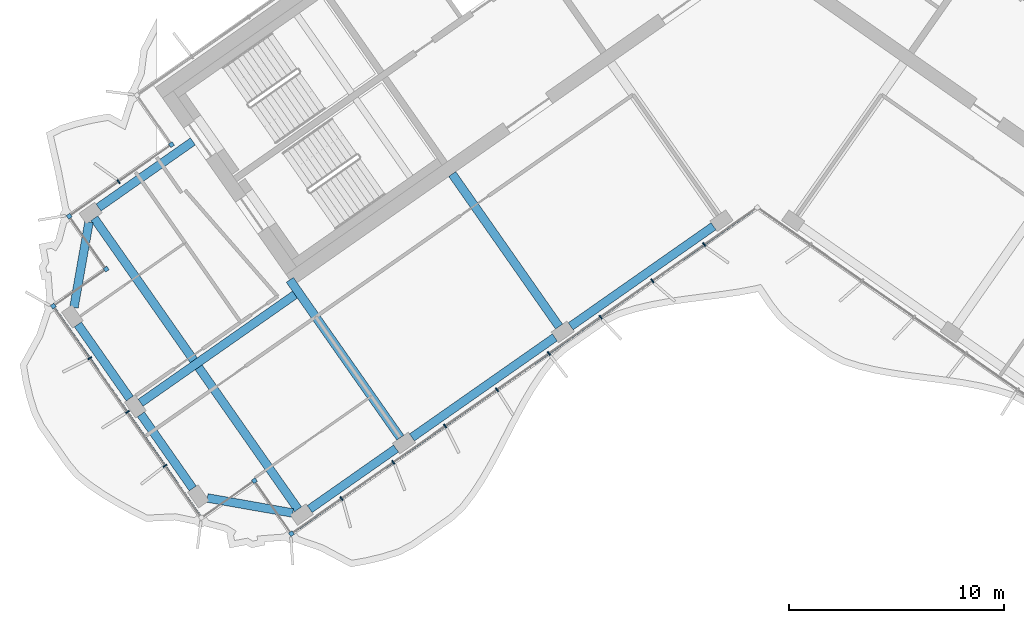
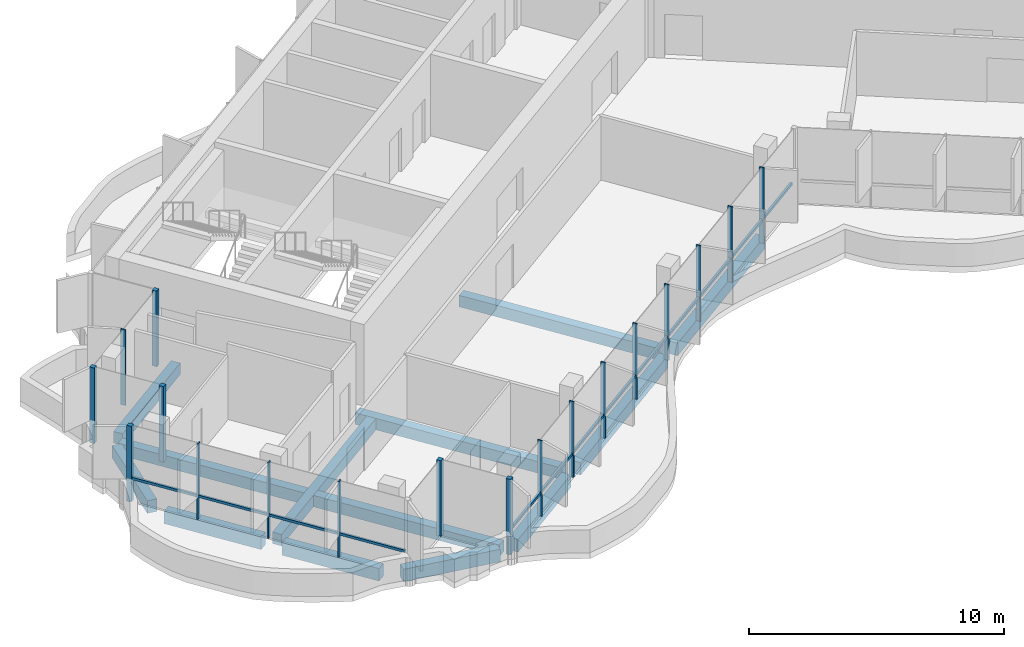
# One storey, part 2 of 19: 20 members, 12 beams, 2 elements without a shape of their own.
"""IFC4 building model written with IfcOpenShell, lengths in metres."""

from ifc_helpers import new_model, si_unit, direction, frame, origin, origin_2d, place, context, subcontext, project, spatial, rectangle, extrude, material, material_profile, profile_set, type_object, element, aggregate, save


model = new_model("IFC4")

# Units and contexts
model_context = context("Model", 3, precision=1e-05, world=origin(), true_north=direction((0.0, 1.0)))
body_context = subcontext(model_context, "Body", "Model", "MODEL_VIEW")
ifc_project = project(units=[si_unit("LENGTHUNIT", "METRE"), si_unit("AREAUNIT", "SQUARE_METRE"), si_unit("VOLUMEUNIT", "CUBIC_METRE"), si_unit("PLANEANGLEUNIT", "RADIAN"), si_unit("MASSUNIT", "GRAM", prefix="KILO")], contexts=[model_context])

# Site, building, storey
site_placement = place(None, origin())
site = spatial("IfcSite", under=ifc_project, at=site_placement, CompositionType="ELEMENT")
building_placement = place(site_placement, origin())
building = spatial("IfcBuilding", under=site, at=building_placement, Name="Tel Ilan Convention Tower", CompositionType="ELEMENT")
storey_placement = place(building_placement, frame((0.0, 0.0, 241.0)))
storey = spatial("IfcBuildingStorey", under=building, at=storey_placement, Name="L56", CompositionType="ELEMENT", Elevation=241.0)

# Beams
ifc_material_1 = material(Name="Concrete C40/50", Category="concrete")
ifc_material_profile_1 = material_profile(ifc_material_1, rectangle(XDim=0.39990234375, YDim=0.550048828125, at=origin_2d()), Name="RC 400x550")
ifc_profile_set_1 = profile_set([ifc_material_profile_1], Name="Concrete C40/50")
beam_type_1 = type_object("IfcBeamType", Name="Beam RC 400x550 Concrete C40/50", PredefinedType="BEAM", material=ifc_profile_set_1)
beam_1_placement = place(storey_placement, frame((-30.6005859375, -12.6982421875, -0.554931640625), z_axis=(0.819146154531, 0.573584847705, 0.0), x_axis=(-0.573584847705, 0.819146154531, 0.0)))
element("IfcBeam", 1, at=beam_1_placement, inside=storey, type_object=beam_type_1, Name="L56 beam W-W-BC-core", PredefinedType="BEAM", context=body_context, shape_type="SweptSolid", body=[
    extrude(rectangle(XDim=0.39990234375, YDim=0.550048828125, at=origin_2d()), origin(), (0.0, 0.0, 1.0), 5.349853515625),
])
beam_2_placement = place(storey_placement, frame((-9.209716796875, -18.229248046875, -0.554931640625), z_axis=(-0.573574099654, 0.819153680457, 0.0), x_axis=(-0.819153680457, -0.573574099654, 0.0)))
element("IfcBeam", 2, at=beam_2_placement, inside=storey, type_object=beam_type_1, Name="L56 beam W-W-F2-core", PredefinedType="BEAM", context=body_context, shape_type="SweptSolid", body=[
    extrude(rectangle(XDim=0.39990234375, YDim=0.550048828125, at=origin_2d()), origin(), (0.0, 0.0, 1.0), 8.64990234375),
])
beam_3_placement = place(storey_placement, frame((-16.58203125, -23.391357421875, -0.554931640625), z_axis=(-0.573584999642, 0.819146048141, 0.0), x_axis=(-0.819146048141, -0.573584999642, 0.0)))
element("IfcBeam", 3, at=beam_3_placement, inside=storey, type_object=beam_type_1, Name="L56 beam W-W-F3-core", PredefinedType="BEAM", context=body_context, shape_type="SweptSolid", body=[
    extrude(rectangle(XDim=0.39990234375, YDim=0.550048828125, at=origin_2d()), origin(), (0.0, 0.0, 1.0), 8.949951171875),
])
beam_4_placement = place(storey_placement, frame((-21.477783203125, -16.748046875, -0.554931640625), z_axis=(-0.819157197737, -0.573569076395, 0.0), x_axis=(0.573569076395, -0.819157197737, 0.0)))
element("IfcBeam", 4, at=beam_4_placement, inside=storey, type_object=beam_type_1, Name="L56 beam W-core-end", PredefinedType="BEAM", context=body_context, shape_type="SweptSolid", body=[
    extrude(rectangle(XDim=0.39990234375, YDim=0.550048828125, at=origin_2d()), origin(), (0.0, 0.0, 1.0), 8.75),
])
beam_5_placement = place(storey_placement, frame((-21.333251953125, -26.718017578125, -0.554931640625), z_axis=(-0.573574554643, 0.819153361872, 0.0), x_axis=(-0.819153361872, -0.573574554643, 0.0)))
element("IfcBeam", 5, at=beam_5_placement, inside=storey, type_object=beam_type_1, Name="L56 beam W-W-FC-W-BC", PredefinedType="BEAM", context=body_context, shape_type="SweptSolid", body=[
    extrude(rectangle(XDim=0.39990234375, YDim=0.550048828125, at=origin_2d()), origin(), (0.0, 0.0, 1.0), 16.499755859375),
])
ifc_material_2 = material(Name="Concrete C40/50", Category="concrete")
ifc_material_profile_2 = material_profile(ifc_material_2, rectangle(XDim=0.39990234375, YDim=0.60009765625, at=origin_2d()), Name="RC 400x600")
ifc_profile_set_2 = profile_set([ifc_material_profile_2], Name="Concrete C40/50")
beam_type_2 = type_object("IfcBeamType", Name="Beam RC 400x600 Concrete C40/50", PredefinedType="BEAM", material=ifc_profile_set_2)
beam_6_placement = place(storey_placement, frame((-2.033935546875, -13.57080078125, -0.580078125), z_axis=(-0.81914553362, -0.573585734437, 0.0), x_axis=(0.573585734437, -0.81914553362, 0.0)))
element("IfcBeam", 6, at=beam_6_placement, inside=storey, type_object=beam_type_2, Name="L56 beam W-W-F1-W-F2", PredefinedType="BEAM", context=body_context, shape_type="SweptSolid", body=[
    extrude(rectangle(XDim=0.39990234375, YDim=0.60009765625, at=origin_2d()), origin(), (0.0, 0.0, 1.0), 8.099853515625),
])
beam_7_placement = place(storey_placement, frame((-9.40625, -18.73291015625, -0.580078125), z_axis=(-0.819155449703, -0.573571572885, 0.0), x_axis=(0.573571572885, -0.819155449703, 0.0)))
element("IfcBeam", 7, at=beam_7_placement, inside=storey, type_object=beam_type_2, Name="L56 beam W-W-F2-W-F3", PredefinedType="BEAM", context=body_context, shape_type="SweptSolid", body=[
    extrude(rectangle(XDim=0.39990234375, YDim=0.60009765625, at=origin_2d()), origin(), (0.0, 0.0, 1.0), 8.10009765625),
])
beam_8_placement = place(storey_placement, frame((-16.778564453125, -23.895263671875, -0.580078125), z_axis=(-0.819154669329, -0.573572687386, 0.0), x_axis=(0.573572687386, -0.819154669329, 0.0)))
element("IfcBeam", 8, at=beam_8_placement, inside=storey, type_object=beam_type_2, Name="L56 beam W-W-F3-W-FC", PredefinedType="BEAM", context=body_context, shape_type="SweptSolid", body=[
    extrude(rectangle(XDim=0.39990234375, YDim=0.60009765625, at=origin_2d()), origin(), (0.0, 0.0, 1.0), 4.900146484375),
])
beam_9_placement = place(storey_placement, frame((-21.578857421875, -26.89013671875, -0.580078125), z_axis=(-0.984804894423, 0.173664388751, 0.0), x_axis=(-0.173664388751, -0.984804894423, 0.0)))
element("IfcBeam", 9, at=beam_9_placement, inside=storey, type_object=beam_type_2, Name="L56 beam W-W-FC-W-E1", PredefinedType="BEAM", context=body_context, shape_type="SweptSolid", body=[
    extrude(rectangle(XDim=0.39990234375, YDim=0.60009765625, at=origin_2d()), origin(), (0.0, 0.0, 1.0), 4.030517578125),
])
for number, where, z_axis, x_axis, name in (
    (10, (-26.22412109375, -25.748046875, -0.580078125), (-0.573563773994, 0.819160910421, 0.0), (-0.819160910421, -0.573563773994, 0.0), "L56 beam W-W-E1-W-E2"),
    (11, (-29.1494140625, -21.5703125, -0.580078125), (-0.573563773994, 0.819160910421, 0.0), (-0.819160910421, -0.573563773994, 0.0), "L56 beam W-W-E2-W-E3"),
):
    element("IfcBeam", number, at=place(storey_placement, frame(where, z_axis=z_axis, x_axis=x_axis)), inside=storey, type_object=beam_type_2, Name=name, PredefinedType="BEAM", context=body_context, shape_type="SweptSolid", body=[
        extrude(rectangle(XDim=0.39990234375, YDim=0.60009765625, at=origin_2d()), origin(), (0.0, 0.0, 1.0), 4.199951171875),
    ])
beam_10_placement = place(storey_placement, frame((-31.742919921875, -17.343505859375, -0.580078125), z_axis=(0.173664388751, 0.984804894423, 0.0), x_axis=(-0.984804894423, 0.173664388751, 0.0)))
element("IfcBeam", 12, at=beam_10_placement, inside=storey, type_object=beam_type_2, Name="L56 beam W-W-E3-W-BC", PredefinedType="BEAM", context=body_context, shape_type="SweptSolid", body=[
    extrude(rectangle(XDim=0.39990234375, YDim=0.60009765625, at=origin_2d()), origin(), (0.0, 0.0, 1.0), 4.030517578125),
])

# Curtain wall, member
ifc_material_3 = material(Name="Aluminium, bronze anodised", Category="aluminium")
curtain_wall_type_1 = type_object("IfcCurtainWallType", Name="CW2 STICK CURTAIN WALL, SPANDREL PANELS", PredefinedType="NOTDEFINED", material=ifc_material_3)
curtain_wall_1_placement = place(storey_placement, origin())
curtain_wall_1 = element("IfcCurtainWall", 13, at=curtain_wall_1_placement, inside=storey, type_object=curtain_wall_type_1, Name="Curtain wall CW2-43.01", PredefinedType="NOTDEFINED")
ifc_material_4 = material(Name="Aluminium, bronze anodised", Category="aluminium")
ifc_material_profile_3 = material_profile(ifc_material_4, rectangle(XDim=0.199951171875, YDim=0.199951171875, at=origin_2d()), Name="CW CORNER MULLION 200x200")
ifc_profile_set_3 = profile_set([ifc_material_profile_3], Name="Aluminium, bronze anodised")
member_type_1 = type_object("IfcMemberType", Name="CW CORNER MULLION 200x200", PredefinedType="MULLION", material=ifc_profile_set_3)
member_1_placement = place(storey_placement, frame((-27.213623046875, -9.77734375, 0.0), z_axis=(0.0, 0.0, 1.0), x_axis=(0.573576436351, -0.819152044289, 0.0)))
member_1 = element("IfcMember", 14, at=member_1_placement, type_object=member_type_1, Name="Corner mullion", PredefinedType="MULLION", context=body_context, shape_type="SweptSolid", body=[
    extrude(rectangle(XDim=0.199951171875, YDim=0.199951171875, at=origin_2d()), origin(), (0.0, 0.0, 1.0), 3.6201171875),
])
aggregate(curtain_wall_1, [member_1])

# Curtain wall, members
ifc_material_5 = material(Name="Aluminium, bronze anodised", Category="aluminium")
curtain_wall_type_2 = type_object("IfcCurtainWallType", Name="CW5 STICK CURTAIN WALL, UPPER OFFICE LOW-IRON TINTED GLASS", PredefinedType="NOTDEFINED", material=ifc_material_5)
curtain_wall_2_placement = place(storey_placement, origin())
curtain_wall_2 = element("IfcCurtainWall", 15, at=curtain_wall_2_placement, inside=storey, type_object=curtain_wall_type_2, Name="Curtain wall CW5-43.02", PredefinedType="NOTDEFINED")
member_2_placement = place(storey_placement, frame((-31.964599609375, -13.10400390625, 0.0), z_axis=(0.0, 0.0, 1.0), x_axis=(-0.819152044289, -0.573576436351, 0.0)))
member_2 = element("IfcMember", 16, at=member_2_placement, type_object=member_type_1, Name="Corner mullion", PredefinedType="MULLION", context=body_context, shape_type="SweptSolid", body=[
    extrude(rectangle(XDim=0.199951171875, YDim=0.199951171875, at=origin_2d()), origin(), (0.0, 0.0, 1.0), 3.6201171875),
])
member_3_placement = place(storey_placement, frame((-30.243896484375, -15.5615234375, 0.0), z_axis=(0.0, 0.0, 1.0), x_axis=(0.573576436351, -0.819152044289, 0.0)))
member_3 = element("IfcMember", 17, at=member_3_placement, type_object=member_type_1, Name="Corner mullion", PredefinedType="MULLION", context=body_context, shape_type="SweptSolid", body=[
    extrude(rectangle(XDim=0.199951171875, YDim=0.199951171875, at=origin_2d()), origin(), (0.0, 0.0, 1.0), 3.6201171875),
])
member_4_placement = place(storey_placement, frame((-32.701416015625, -17.2822265625, 0.0), z_axis=(0.0, 0.0, 1.0), x_axis=(-0.819152044289, -0.573576436351, 0.0)))
member_4 = element("IfcMember", 18, at=member_4_placement, type_object=member_type_1, Name="Corner mullion", PredefinedType="MULLION", context=body_context, shape_type="SweptSolid", body=[
    extrude(rectangle(XDim=0.199951171875, YDim=0.199951171875, at=origin_2d()), origin(), (0.0, 0.0, 1.0), 3.6201171875),
])
member_5_placement = place(storey_placement, frame((-23.36083984375, -25.391357421875, 0.0), z_axis=(0.0, 0.0, 1.0), x_axis=(0.819152044289, 0.573576436351, 0.0)))
member_5 = element("IfcMember", 19, at=member_5_placement, type_object=member_type_1, Name="Corner mullion", PredefinedType="MULLION", context=body_context, shape_type="SweptSolid", body=[
    extrude(rectangle(XDim=0.199951171875, YDim=0.199951171875, at=origin_2d()), origin(), (0.0, 0.0, 1.0), 3.6201171875),
])
member_6_placement = place(storey_placement, frame((-21.64013671875, -27.8486328125, 0.0), z_axis=(0.0, 0.0, 1.0), x_axis=(0.573576436351, -0.819152044289, 0.0)))
member_6 = element("IfcMember", 20, at=member_6_placement, type_object=member_type_1, Name="Corner mullion", PredefinedType="MULLION", context=body_context, shape_type="SweptSolid", body=[
    extrude(rectangle(XDim=0.199951171875, YDim=0.199951171875, at=origin_2d()), origin(), (0.0, 0.0, 1.0), 3.6201171875),
])
ifc_material_6 = material(Name="Aluminium, bronze anodised", Category="aluminium")
ifc_material_profile_4 = material_profile(ifc_material_6, rectangle(XDim=0.06005859375, YDim=0.199951171875, at=origin_2d()), Name="CW MULLION 60x200")
ifc_profile_set_4 = profile_set([ifc_material_profile_4], Name="Aluminium, bronze anodised")
member_type_2 = type_object("IfcMemberType", Name="CW MULLION 60x200", PredefinedType="MULLION", material=ifc_profile_set_4)
member_7_placement = place(storey_placement, frame((-29.6708984375, -11.498046875, 0.0), z_axis=(0.0, 0.0, 1.0), x_axis=(-0.819152044289, -0.573576436351, 0.0)))
member_7 = element("IfcMember", 21, at=member_7_placement, type_object=member_type_2, Name="Mullion", PredefinedType="MULLION", context=body_context, shape_type="SweptSolid", body=[
    extrude(rectangle(XDim=0.06005859375, YDim=0.199951171875, at=origin_2d()), origin(), (0.0, 0.0, 1.0), 3.6201171875),
])
member_8_placement = place(storey_placement, frame((-31.00927734375, -19.69873046875, 0.0), z_axis=(0.0, 0.0, 1.0), x_axis=(0.573576436351, -0.819152044289, 0.0)))
member_8 = element("IfcMember", 22, at=member_8_placement, type_object=member_type_2, Name="Mullion", PredefinedType="MULLION", context=body_context, shape_type="SweptSolid", body=[
    extrude(rectangle(XDim=0.06005859375, YDim=0.199951171875, at=origin_2d()), origin(), (0.0, 0.0, 1.0), 3.6201171875),
])
member_9_placement = place(storey_placement, frame((-29.259765625, -22.197021484375, 0.0), z_axis=(0.0, 0.0, 1.0), x_axis=(0.573576436351, -0.819152044289, 0.0)))
member_9 = element("IfcMember", 23, at=member_9_placement, type_object=member_type_2, Name="Mullion", PredefinedType="MULLION", context=body_context, shape_type="SweptSolid", body=[
    extrude(rectangle(XDim=0.06005859375, YDim=0.199951171875, at=origin_2d()), origin(), (0.0, 0.0, 1.0), 3.6201171875),
])
member_10_placement = place(storey_placement, frame((-27.510498046875, -24.695556640625, 0.0), z_axis=(0.0, 0.0, 1.0), x_axis=(0.573576436351, -0.819152044289, 0.0)))
member_10 = element("IfcMember", 24, at=member_10_placement, type_object=member_type_2, Name="Mullion", PredefinedType="MULLION", context=body_context, shape_type="SweptSolid", body=[
    extrude(rectangle(XDim=0.06005859375, YDim=0.199951171875, at=origin_2d()), origin(), (0.0, 0.0, 1.0), 3.6201171875),
])
member_11_placement = place(storey_placement, frame((-19.31494140625, -26.220458984375, 0.0), z_axis=(0.0, 0.0, 1.0), x_axis=(0.819152044289, 0.573576436351, 0.0)))
member_11 = element("IfcMember", 25, at=member_11_placement, type_object=member_type_2, Name="Mullion", PredefinedType="MULLION", context=body_context, shape_type="SweptSolid", body=[
    extrude(rectangle(XDim=0.06005859375, YDim=0.199951171875, at=origin_2d()), origin(), (0.0, 0.0, 1.0), 3.6201171875),
])
member_12_placement = place(storey_placement, frame((-16.90771484375, -24.534912109375, 0.0), z_axis=(0.0, 0.0, 1.0), x_axis=(0.819152044289, 0.573576436351, 0.0)))
member_12 = element("IfcMember", 26, at=member_12_placement, type_object=member_type_2, Name="Mullion", PredefinedType="MULLION", context=body_context, shape_type="SweptSolid", body=[
    extrude(rectangle(XDim=0.06005859375, YDim=0.199951171875, at=origin_2d()), origin(), (0.0, 0.0, 1.0), 3.6201171875),
])
member_13_placement = place(storey_placement, frame((-14.50048828125, -22.849365234375, 0.0), z_axis=(0.0, 0.0, 1.0), x_axis=(0.819152044289, 0.573576436351, 0.0)))
member_13 = element("IfcMember", 27, at=member_13_placement, type_object=member_type_2, Name="Mullion", PredefinedType="MULLION", context=body_context, shape_type="SweptSolid", body=[
    extrude(rectangle(XDim=0.06005859375, YDim=0.199951171875, at=origin_2d()), origin(), (0.0, 0.0, 1.0), 3.6201171875),
])
member_14_placement = place(storey_placement, frame((-12.09326171875, -21.163818359375, 0.0), z_axis=(0.0, 0.0, 1.0), x_axis=(0.819152044289, 0.573576436351, 0.0)))
member_14 = element("IfcMember", 28, at=member_14_placement, type_object=member_type_2, Name="Mullion", PredefinedType="MULLION", context=body_context, shape_type="SweptSolid", body=[
    extrude(rectangle(XDim=0.06005859375, YDim=0.199951171875, at=origin_2d()), origin(), (0.0, 0.0, 1.0), 3.6201171875),
])
member_15_placement = place(storey_placement, frame((-9.68603515625, -19.478271484375, 0.0), z_axis=(0.0, 0.0, 1.0), x_axis=(0.819152044289, 0.573576436351, 0.0)))
member_15 = element("IfcMember", 29, at=member_15_placement, type_object=member_type_2, Name="Mullion", PredefinedType="MULLION", context=body_context, shape_type="SweptSolid", body=[
    extrude(rectangle(XDim=0.06005859375, YDim=0.199951171875, at=origin_2d()), origin(), (0.0, 0.0, 1.0), 3.6201171875),
])
member_16_placement = place(storey_placement, frame((-7.279052734375, -17.792724609375, 0.0), z_axis=(0.0, 0.0, 1.0), x_axis=(0.819152044289, 0.573576436351, 0.0)))
member_16 = element("IfcMember", 30, at=member_16_placement, type_object=member_type_2, Name="Mullion", PredefinedType="MULLION", context=body_context, shape_type="SweptSolid", body=[
    extrude(rectangle(XDim=0.06005859375, YDim=0.199951171875, at=origin_2d()), origin(), (0.0, 0.0, 1.0), 3.6201171875),
])
member_17_placement = place(storey_placement, frame((-4.871826171875, -16.107177734375, 0.0), z_axis=(0.0, 0.0, 1.0), x_axis=(0.819152044289, 0.573576436351, 0.0)))
member_17 = element("IfcMember", 31, at=member_17_placement, type_object=member_type_2, Name="Mullion", PredefinedType="MULLION", context=body_context, shape_type="SweptSolid", body=[
    extrude(rectangle(XDim=0.06005859375, YDim=0.199951171875, at=origin_2d()), origin(), (0.0, 0.0, 1.0), 3.6201171875),
])
member_18_placement = place(storey_placement, frame((-2.464599609375, -14.421875, 0.0), z_axis=(0.0, 0.0, 1.0), x_axis=(0.819152044289, 0.573576436351, 0.0)))
member_18 = element("IfcMember", 32, at=member_18_placement, type_object=member_type_2, Name="Mullion", PredefinedType="MULLION", context=body_context, shape_type="SweptSolid", body=[
    extrude(rectangle(XDim=0.06005859375, YDim=0.199951171875, at=origin_2d()), origin(), (0.0, 0.0, 1.0), 3.6201171875),
])
ifc_material_7 = material(Name="Aluminium, bronze anodised", Category="aluminium")
ifc_material_profile_5 = material_profile(ifc_material_7, rectangle(XDim=0.10009765625, YDim=0.1201171875, at=origin_2d()), Name="CW TRANSOM 100x120")
ifc_profile_set_5 = profile_set([ifc_material_profile_5], Name="Aluminium, bronze anodised")
member_type_3 = type_object("IfcMemberType", Name="CW TRANSOM 100x120", PredefinedType="USERDEFINED", material=ifc_profile_set_5)
member_19_placement = place(storey_placement, frame((-32.64404296875, -17.364013671875, 1.10009765625), z_axis=(0.573581755582, -0.819148319698, 0.0), x_axis=(0.819148319698, 0.573581755582, 0.0)))
member_19 = element("IfcMember", 33, at=member_19_placement, type_object=member_type_3, Name="Transom", ObjectType="TRANSOM", PredefinedType="USERDEFINED", context=body_context, shape_type="SweptSolid", body=[
    extrude(rectangle(XDim=0.10009765625, YDim=0.1201171875, at=origin_2d()), origin(), (0.0, 0.0, 1.0), 11.800048828125),
])
member_20_placement = place(storey_placement, frame((-21.558349609375, -27.791259765625, 1.10009765625), z_axis=(0.819152212587, 0.573576195996, 0.0), x_axis=(-0.573576195996, 0.819152212587, 0.0)))
member_20 = element("IfcMember", 34, at=member_20_placement, type_object=member_type_3, Name="Transom", ObjectType="TRANSOM", PredefinedType="USERDEFINED", context=body_context, shape_type="SweptSolid", body=[
    extrude(rectangle(XDim=0.10009765625, YDim=0.1201171875, at=origin_2d()), origin(), (0.0, 0.0, 1.0), 26.0478515625),
])
aggregate(curtain_wall_2, [member_7, member_2, member_3, member_4, member_8, member_9, member_10, member_19, member_5, member_6, member_11, member_12, member_13, member_14, member_15, member_16, member_17, member_18, member_20])

save(model, "model.ifc")
